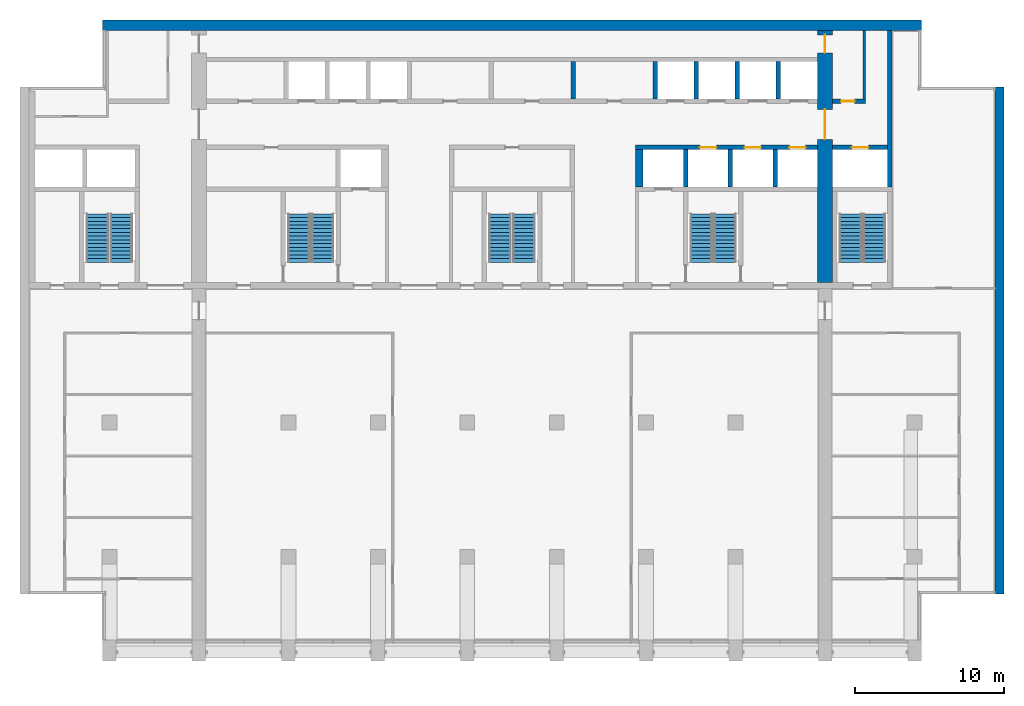
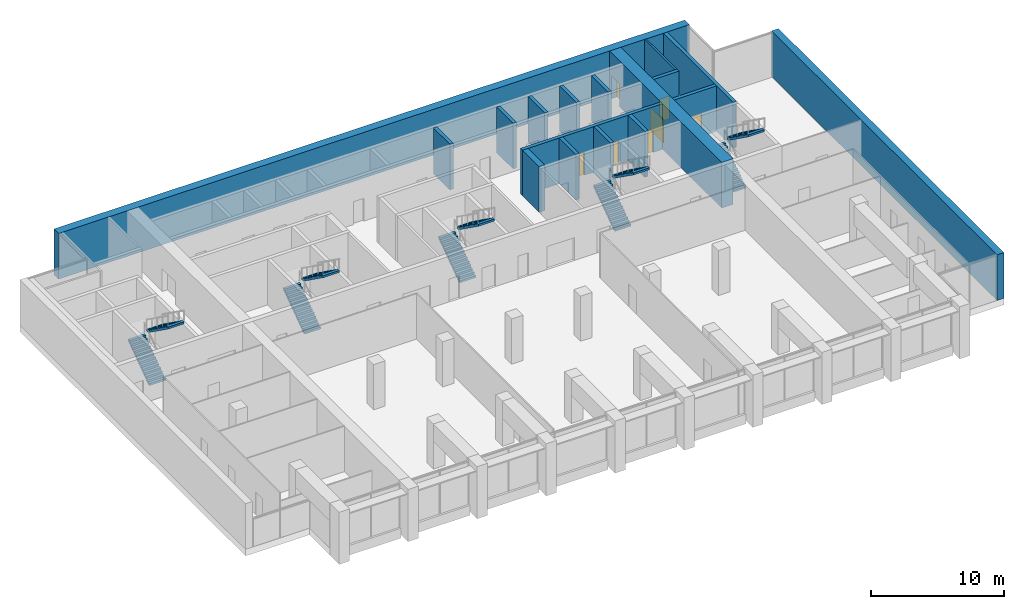
# One storey, part 9 of 13: 17 walls, 10 stair flights, 7 doors, 7 openings, 5 elements without a shape of their own.
"""IFC4 building model written with IfcOpenShell, lengths in metres."""

from ifc_helpers import new_model, si_unit, direction, frame, frame_2d, origin, place, context, subcontext, project, spatial, polyline, rectangle, outline, extrude, material, layer, layer_set, type_object, element, fill, aggregate, save


model = new_model("IFC4")

# Units and contexts
model_context = context("Model", 3, precision=1e-05, world=origin(), true_north=direction((0.0, 1.0)))
body_context = subcontext(model_context, "Body", "Model", "MODEL_VIEW")
ifc_project = project(units=[si_unit("LENGTHUNIT", "METRE"), si_unit("AREAUNIT", "SQUARE_METRE"), si_unit("VOLUMEUNIT", "CUBIC_METRE"), si_unit("PLANEANGLEUNIT", "RADIAN"), si_unit("MASSUNIT", "GRAM", prefix="KILO")], contexts=[model_context])

# Site, building, storey
site_placement = place(None, origin())
site = spatial("IfcSite", under=ifc_project, at=site_placement, CompositionType="ELEMENT")
building_placement = place(site_placement, origin())
building = spatial("IfcBuilding", under=site, at=building_placement, Name="Calvaro Tower", CompositionType="ELEMENT")
storey_placement = place(building_placement, frame((0.0, 0.0, 226.75)))
storey = spatial("IfcBuildingStorey", under=building, at=storey_placement, Name="L57", CompositionType="ELEMENT", Elevation=226.75)

# Wall
ifc_material_1 = material(Name="Blockwork partition", Category="masonry")
ifc_layer_1 = layer(ifc_material_1, 0.14990234375)
ifc_layer_set_1 = layer_set([ifc_layer_1], Name="Blockwork partition")
wall_type_1 = type_object("IfcWallType", Name="Core partition 150 REI 120", PredefinedType="PARTITIONING", material=ifc_layer_set_1)
wall_1_placement = place(storey_placement, frame((62.625, 40.699951171875, 0.0), z_axis=(0.0, 0.0, 1.0), x_axis=(0.0, 1.0, 0.0)))
element("IfcWall", 1, at=wall_1_placement, inside=storey, type_object=wall_type_1, Name="Core partition", PredefinedType="PARTITIONING", context=body_context, shape_type="SweptSolid", body=[
    extrude(rectangle(XDim=4.60009765625, YDim=0.14990234375, at=frame_2d((2.300048828125, 0.0))), origin(), (0.0, 0.0, 1.0), 4.199951171875),
])

# Wall, opening, door
ifc_material_2 = material(Name="Blockwork partition", Category="masonry")
ifc_layer_2 = layer(ifc_material_2, 0.300048828125)
ifc_layer_set_2 = layer_set([ifc_layer_2], Name="Blockwork partition")
wall_type_2 = type_object("IfcWallType", Name="Core partition 300 REI 120", PredefinedType="PARTITIONING", material=ifc_layer_set_2)
wall_2_placement = place(storey_placement, frame((60.5, 40.550048828125, 0.0), z_axis=(0.0, 0.0, 1.0), x_axis=(1.0, 0.0, 0.0)))
wall_2 = element("IfcWall", 2, at=wall_2_placement, inside=storey, type_object=wall_type_2, Name="Core partition", PredefinedType="PARTITIONING", context=body_context, shape_type="SweptSolid", body=[
    extrude(rectangle(XDim=2.199951171875, YDim=0.300048828125, at=frame_2d((1.10009765625, 0.0))), origin(), (0.0, 0.0, 1.0), 4.199951171875),
])
opening_1_placement = place(wall_2_placement, frame((0.574951171875, 0.0, 0.0)))
opening_1 = element("IfcOpeningElement", 3, at=opening_1_placement, cuts=wall_2, Name="Opening RD9E", PredefinedType="OPENING", context=body_context, shape_type="SweptSolid", body=[
    extrude(rectangle(XDim=0.89990234375, YDim=2.10009765625, at=frame_2d((0.449951171875, 1.050048828125))), frame((0.0, 0.159912109375, 0.0), z_axis=(0.0, -1.0, 0.0), x_axis=(1.0, 0.0, 0.0)), (0.0, 0.0, 1.0), 0.320068359375),
])
ifc_material_3 = material(Name="Steel door set", Category="steel")
door_type_1 = type_object("IfcDoorType", Name="Room door 900 FD60", OperationType="SINGLE_SWING_LEFT", PredefinedType="DOOR", material=ifc_material_3)
door_1_placement = place(opening_1_placement, origin())
door_1 = element("IfcDoor", 4, at=door_1_placement, inside=storey, type_object=door_type_1, Name="Room door", OperationType="SINGLE_SWING_LEFT", OverallHeight=2.10009765625, OverallWidth=0.89990234375, PredefinedType="DOOR", context=body_context, shape_type="SweptSolid", body=[
    extrude(rectangle(XDim=0.89990234375, YDim=2.10009765625, at=frame_2d((0.449951171875, 1.050048828125))), frame((0.0, 0.02490234375, 0.0), z_axis=(0.0, -1.0, 0.0), x_axis=(1.0, 0.0, 0.0)), (0.0, 0.0, 1.0), 0.050048828125),
])
fill(opening_1, door_1)

# Wall
wall_3_placement = place(storey_placement, frame((43.10009765625, 40.699951171875, 0.0), z_axis=(0.0, 0.0, 1.0), x_axis=(0.0, 1.0, 0.0)))
element("IfcWall", 5, at=wall_3_placement, inside=storey, type_object=wall_type_2, Name="Core partition", PredefinedType="PARTITIONING", context=body_context, shape_type="SweptSolid", body=[
    extrude(rectangle(XDim=2.5, YDim=0.300048828125, at=frame_2d((1.25, 0.0))), origin(), (0.0, 0.0, 1.0), 4.199951171875),
])

# Wall, openings, doors
ifc_material_4 = material(Name="Concrete C50/60", Category="concrete")
ifc_layer_3 = layer(ifc_material_4, 1.0)
ifc_layer_set_3 = layer_set([ifc_layer_3], Name="Concrete C50/60")
wall_type_3 = type_object("IfcWallType", Name="Core wall C50/60 1000", PredefinedType="SHEAR", material=ifc_layer_set_3)
wall_4_placement = place(storey_placement, frame((60.0, 28.39990234375, 0.0), z_axis=(0.0, 0.0, 1.0), x_axis=(0.0, 1.0, 0.0)))
wall_4 = element("IfcWall", 6, at=wall_4_placement, inside=storey, type_object=wall_type_3, Name="Core wall, cross shear wall", PredefinedType="SHEAR", context=body_context, shape_type="SweptSolid", body=[
    extrude(rectangle(XDim=16.900146484375, YDim=1.0, at=frame_2d((8.4501953125, 0.0))), origin(), (0.0, 0.0, 1.0), 4.199951171875),
])
opening_2_placement = place(wall_4_placement, frame((9.60009765625, 0.0, 0.0)))
opening_2 = element("IfcOpeningElement", 7, at=opening_2_placement, cuts=wall_4, Name="Opening DD20D", PredefinedType="OPENING", context=body_context, shape_type="SweptSolid", body=[
    extrude(rectangle(XDim=2.0, YDim=2.10009765625, at=frame_2d((1.0, 1.050048828125))), frame((0.0, 0.510009765625, 0.0), z_axis=(0.0, -1.0, 0.0), x_axis=(1.0, 0.0, 0.0)), (0.0, 0.0, 1.0), 1.02001953125),
])
opening_3_placement = place(wall_4_placement, frame((15.39990234375, 0.0, 0.0)))
opening_3 = element("IfcOpeningElement", 8, at=opening_3_placement, cuts=wall_4, Name="Opening FD12C", PredefinedType="OPENING", context=body_context, shape_type="SweptSolid", body=[
    extrude(rectangle(XDim=1.199951171875, YDim=2.10009765625, at=frame_2d((0.60009765625, 1.050048828125))), frame((0.0, 0.510009765625, 0.0), z_axis=(0.0, -1.0, 0.0), x_axis=(1.0, 0.0, 0.0)), (0.0, 0.0, 1.0), 1.02001953125),
])
ifc_material_5 = material(Name="Steel door set", Category="steel")
door_type_2 = type_object("IfcDoorType", Name="Fire door 1200 FD30", OperationType="SINGLE_SWING_LEFT", PredefinedType="DOOR", material=ifc_material_5)
door_2_placement = place(opening_3_placement, origin())
door_2 = element("IfcDoor", 9, at=door_2_placement, inside=storey, type_object=door_type_2, Name="Fire door", OperationType="SINGLE_SWING_LEFT", OverallHeight=2.10009765625, OverallWidth=1.199951171875, PredefinedType="DOOR", context=body_context, shape_type="SweptSolid", body=[
    extrude(rectangle(XDim=1.199951171875, YDim=2.10009765625, at=frame_2d((0.60009765625, 1.050048828125))), frame((0.0, 0.02490234375, 0.0), z_axis=(0.0, -1.0, 0.0), x_axis=(1.0, 0.0, 0.0)), (0.0, 0.0, 1.0), 0.050048828125),
])
fill(opening_3, door_2)
ifc_material_6 = material(Name="Steel door set", Category="steel")
door_type_3 = type_object("IfcDoorType", Name="Lobby double door 2000 FD30S", OperationType="DOUBLE_DOOR_SINGLE_SWING", PredefinedType="DOOR", material=ifc_material_6)
door_3_placement = place(opening_2_placement, origin())
door_3 = element("IfcDoor", 10, at=door_3_placement, inside=storey, type_object=door_type_3, Name="Lobby double door", OperationType="DOUBLE_DOOR_SINGLE_SWING", OverallHeight=2.10009765625, OverallWidth=2.0, PredefinedType="DOOR", context=body_context, shape_type="SweptSolid", body=[
    extrude(rectangle(XDim=2.0, YDim=2.10009765625, at=frame_2d((1.0, 1.050048828125))), frame((0.0, 0.02490234375, 0.0), z_axis=(0.0, -1.0, 0.0), x_axis=(1.0, 0.0, 0.0)), (0.0, 0.0, 1.0), 0.050048828125),
])
fill(opening_2, door_3)

# Wall
ifc_material_7 = material(Name="Concrete C50/60", Category="concrete")
ifc_layer_4 = layer(ifc_material_7, 0.300048828125)
ifc_layer_set_4 = layer_set([ifc_layer_4], Name="Concrete C50/60")
wall_type_4 = type_object("IfcWallType", Name="Core wall C50/60 300", PredefinedType="SHEAR", material=ifc_layer_set_4)
wall_5_placement = place(storey_placement, frame((64.35009765625, 34.800048828125, 0.0), z_axis=(0.0, 0.0, 1.0), x_axis=(0.0, 1.0, 0.0)))
element("IfcWall", 11, at=wall_5_placement, inside=storey, type_object=wall_type_4, Name="Core wall, boundary", PredefinedType="SHEAR", context=body_context, shape_type="SweptSolid", body=[
    extrude(rectangle(XDim=10.5, YDim=0.300048828125, at=frame_2d((5.25, 0.0))), origin(), (0.0, 0.0, 1.0), 4.199951171875),
])

# Wall, openings, doors
wall_6_placement = place(storey_placement, frame((47.300048828125, 37.449951171875, 0.0), z_axis=(0.0, 0.0, 1.0), x_axis=(1.0, 0.0, 0.0)))
wall_6 = element("IfcWall", 12, at=wall_6_placement, inside=storey, type_object=wall_type_4, Name="Core wall, lift shaft", PredefinedType="SHEAR", context=body_context, shape_type="SweptSolid", body=[
    extrude(rectangle(XDim=12.199951171875, YDim=0.300048828125, at=frame_2d((6.10009765625, 0.0))), origin(), (0.0, 0.0, 1.0), 4.199951171875),
])
opening_4_placement = place(wall_6_placement, frame((4.300048828125, 0.0, 0.0)))
opening_4 = element("IfcOpeningElement", 13, at=opening_4_placement, cuts=wall_6, Name="Opening HR1", PredefinedType="OPENING", context=body_context, shape_type="SweptSolid", body=[
    extrude(rectangle(XDim=1.10009765625, YDim=2.10009765625, at=frame_2d((0.550048828125, 1.050048828125))), frame((0.0, 0.159912109375, 0.0), z_axis=(0.0, -1.0, 0.0), x_axis=(1.0, 0.0, 0.0)), (0.0, 0.0, 1.0), 0.320068359375),
])
opening_5_placement = place(wall_6_placement, frame((7.300048828125, 0.0, 0.0)))
opening_5 = element("IfcOpeningElement", 14, at=opening_5_placement, cuts=wall_6, Name="Opening HR2", PredefinedType="OPENING", context=body_context, shape_type="SweptSolid", body=[
    extrude(rectangle(XDim=1.10009765625, YDim=2.10009765625, at=frame_2d((0.550048828125, 1.050048828125))), frame((0.0, 0.159912109375, 0.0), z_axis=(0.0, -1.0, 0.0), x_axis=(1.0, 0.0, 0.0)), (0.0, 0.0, 1.0), 0.320068359375),
])
opening_6_placement = place(wall_6_placement, frame((10.300048828125, 0.0, 0.0)))
opening_6 = element("IfcOpeningElement", 15, at=opening_6_placement, cuts=wall_6, Name="Opening HR3", PredefinedType="OPENING", context=body_context, shape_type="SweptSolid", body=[
    extrude(rectangle(XDim=1.10009765625, YDim=2.10009765625, at=frame_2d((0.550048828125, 1.050048828125))), frame((0.0, 0.159912109375, 0.0), z_axis=(0.0, -1.0, 0.0), x_axis=(1.0, 0.0, 0.0)), (0.0, 0.0, 1.0), 0.320068359375),
])
ifc_material_8 = material(Name="Stainless steel", Category="steel")
door_type_4 = type_object("IfcDoorType", Name="Landing door 1100 E 60", OperationType="SLIDING_TO_LEFT", PredefinedType="DOOR", material=ifc_material_8)
door_4_placement = place(opening_4_placement, origin())
door_4 = element("IfcDoor", 16, at=door_4_placement, inside=storey, type_object=door_type_4, Name="Landing door HR1", OperationType="SLIDING_TO_LEFT", OverallHeight=2.10009765625, OverallWidth=1.10009765625, PredefinedType="DOOR", context=body_context, shape_type="SweptSolid", body=[
    extrude(rectangle(XDim=1.10009765625, YDim=2.10009765625, at=frame_2d((0.550048828125, 1.050048828125))), frame((0.0, 0.02490234375, 0.0), z_axis=(0.0, -1.0, 0.0), x_axis=(1.0, 0.0, 0.0)), (0.0, 0.0, 1.0), 0.050048828125),
])
fill(opening_4, door_4)
door_5_placement = place(opening_5_placement, origin())
door_5 = element("IfcDoor", 17, at=door_5_placement, inside=storey, type_object=door_type_4, Name="Landing door HR2", OperationType="SLIDING_TO_LEFT", OverallHeight=2.10009765625, OverallWidth=1.10009765625, PredefinedType="DOOR", context=body_context, shape_type="SweptSolid", body=[
    extrude(rectangle(XDim=1.10009765625, YDim=2.10009765625, at=frame_2d((0.550048828125, 1.050048828125))), frame((0.0, 0.02490234375, 0.0), z_axis=(0.0, -1.0, 0.0), x_axis=(1.0, 0.0, 0.0)), (0.0, 0.0, 1.0), 0.050048828125),
])
fill(opening_5, door_5)
door_6_placement = place(opening_6_placement, origin())
door_6 = element("IfcDoor", 18, at=door_6_placement, inside=storey, type_object=door_type_4, Name="Landing door HR3", OperationType="SLIDING_TO_LEFT", OverallHeight=2.10009765625, OverallWidth=1.10009765625, PredefinedType="DOOR", context=body_context, shape_type="SweptSolid", body=[
    extrude(rectangle(XDim=1.10009765625, YDim=2.10009765625, at=frame_2d((0.550048828125, 1.050048828125))), frame((0.0, 0.02490234375, 0.0), z_axis=(0.0, -1.0, 0.0), x_axis=(1.0, 0.0, 0.0)), (0.0, 0.0, 1.0), 0.050048828125),
])
fill(opening_6, door_6)

# Wall, opening, door
wall_7_placement = place(storey_placement, frame((60.5, 37.449951171875, 0.0), z_axis=(0.0, 0.0, 1.0), x_axis=(1.0, 0.0, 0.0)))
wall_7 = element("IfcWall", 19, at=wall_7_placement, inside=storey, type_object=wall_type_4, Name="Core wall, lift shaft", PredefinedType="SHEAR", context=body_context, shape_type="SweptSolid", body=[
    extrude(rectangle(XDim=3.699951171875, YDim=0.300048828125, at=frame_2d((1.85009765625, 0.0))), origin(), (0.0, 0.0, 1.0), 4.199951171875),
])
opening_7_placement = place(wall_7_placement, frame((1.300048828125, 0.0, 0.0)))
opening_7 = element("IfcOpeningElement", 20, at=opening_7_placement, cuts=wall_7, Name="Opening FF3", PredefinedType="OPENING", context=body_context, shape_type="SweptSolid", body=[
    extrude(rectangle(XDim=1.10009765625, YDim=2.10009765625, at=frame_2d((0.550048828125, 1.050048828125))), frame((0.0, 0.159912109375, 0.0), z_axis=(0.0, -1.0, 0.0), x_axis=(1.0, 0.0, 0.0)), (0.0, 0.0, 1.0), 0.320068359375),
])
door_7_placement = place(opening_7_placement, origin())
door_7 = element("IfcDoor", 21, at=door_7_placement, inside=storey, type_object=door_type_4, Name="Landing door FF3", OperationType="SLIDING_TO_LEFT", OverallHeight=2.10009765625, OverallWidth=1.10009765625, PredefinedType="DOOR", context=body_context, shape_type="SweptSolid", body=[
    extrude(rectangle(XDim=1.10009765625, YDim=2.10009765625, at=frame_2d((0.550048828125, 1.050048828125))), frame((0.0, 0.02490234375, 0.0), z_axis=(0.0, -1.0, 0.0), x_axis=(1.0, 0.0, 0.0)), (0.0, 0.0, 1.0), 0.050048828125),
])
fill(opening_7, door_7)

# Walls
for number, where, z_axis, x_axis, name in (
    (22, (50.64990234375, 34.800048828125, 0.0), (0.0, 0.0, 1.0), (0.0, 1.0, 0.0), "Core wall, lift shaft"),
    (23, (53.64990234375, 34.800048828125, 0.0), (0.0, 0.0, 1.0), (0.0, 1.0, 0.0), "Core wall, lift shaft"),
    (24, (56.64990234375, 34.800048828125, 0.0), (0.0, 0.0, 1.0), (0.0, 1.0, 0.0), "Core wall, lift shaft"),
    (25, (48.60009765625, 40.699951171875, 0.0), (0.0, 0.0, 1.0), (0.0, 1.0, 0.0), "Core wall, lift shaft"),
    (26, (51.35009765625, 40.699951171875, 0.0), (0.0, 0.0, 1.0), (0.0, 1.0, 0.0), "Core wall, lift shaft"),
    (27, (54.10009765625, 40.699951171875, 0.0), (0.0, 0.0, 1.0), (0.0, 1.0, 0.0), "Core wall, lift shaft"),
    (28, (56.85009765625, 40.699951171875, 0.0), (0.0, 0.0, 1.0), (0.0, 1.0, 0.0), "Core wall, lift shaft"),
):
    element("IfcWall", number, at=place(storey_placement, frame(where, z_axis=z_axis, x_axis=x_axis)), inside=storey, type_object=wall_type_4, Name=name, PredefinedType="SHEAR", context=body_context, shape_type="SweptSolid", body=[
        extrude(rectangle(XDim=2.5, YDim=0.300048828125, at=frame_2d((1.25, 0.0))), origin(), (0.0, 0.0, 1.0), 4.199951171875),
    ])
ifc_material_9 = material(Name="Concrete C50/60", Category="concrete")
ifc_layer_5 = layer(ifc_material_9, 0.5)
ifc_layer_set_5 = layer_set([ifc_layer_5], Name="Concrete C50/60")
wall_type_5 = type_object("IfcWallType", Name="Core wall C50/60 500", PredefinedType="SHEAR", material=ifc_layer_set_5)
wall_8_placement = place(storey_placement, frame((47.550048828125, 34.800048828125, 0.0), z_axis=(0.0, 0.0, 1.0), x_axis=(0.0, 1.0, 0.0)))
element("IfcWall", 29, at=wall_8_placement, inside=storey, type_object=wall_type_5, Name="Core wall, lift shaft", PredefinedType="SHEAR", context=body_context, shape_type="SweptSolid", body=[
    extrude(rectangle(XDim=2.5, YDim=0.5, at=frame_2d((1.25, 0.0))), origin(), (0.0, 0.0, 1.0), 4.199951171875),
])
ifc_material_10 = material(Name="Concrete C50/60", Category="concrete")
ifc_layer_6 = layer(ifc_material_10, 0.60009765625)
ifc_layer_set_6 = layer_set([ifc_layer_6], Name="Concrete C50/60")
wall_type_6 = type_object("IfcWallType", Name="End wall 600 C50/60", PredefinedType="SHEAR", material=ifc_layer_set_6)
wall_9_placement = place(storey_placement, frame((71.699951171875, 7.5, 0.0), z_axis=(0.0, 0.0, 1.0), x_axis=(0.0, 1.0, 0.0)))
element("IfcWall", 30, at=wall_9_placement, inside=storey, type_object=wall_type_6, Name="End shear wall", PredefinedType="SHEAR", context=body_context, shape_type="SweptSolid", body=[
    extrude(rectangle(XDim=34.0, YDim=0.60009765625, at=frame_2d((17.0, 0.0))), origin(), (0.0, 0.0, 1.0), 4.199951171875),
])
ifc_material_11 = material(Name="Concrete C50/60", Category="concrete")
ifc_layer_7 = layer(ifc_material_11, 0.699951171875)
ifc_layer_set_7 = layer_set([ifc_layer_7], Name="Concrete C50/60")
wall_type_7 = type_object("IfcWallType", Name="Rear core wall 700 C50/60", PredefinedType="SHEAR", material=ifc_layer_set_7)
wall_10_placement = place(storey_placement, frame((11.550048828125, 45.64990234375, 0.0), z_axis=(0.0, 0.0, 1.0), x_axis=(1.0, 0.0, 0.0)))
element("IfcWall", 31, at=wall_10_placement, inside=storey, type_object=wall_type_7, Name="North core wall", PredefinedType="SHEAR", context=body_context, shape_type="SweptSolid", body=[
    extrude(rectangle(XDim=54.89990234375, YDim=0.699951171875, at=frame_2d((27.449951171875, 0.0))), origin(), (0.0, 0.0, 1.0), 4.199951171875),
])

# Stair, stair flights
ifc_material_12 = material(Name="Concrete C40/50", Category="concrete")
stair_type = type_object("IfcStairType", Name="Exit stair 1400 2 flights", PredefinedType="HALF_TURN_STAIR", material=ifc_material_12)
stair_1_placement = place(storey_placement, origin())
stair_1 = element("IfcStair", 32, at=stair_1_placement, inside=storey, type_object=stair_type, Name="Exit stair S1", PredefinedType="HALF_TURN_STAIR")
ifc_material_13 = material(Name="Concrete C40/50", Category="concrete")
stair_flight_type = type_object("IfcStairFlightType", Name="Stair flight", PredefinedType="STRAIGHT", material=ifc_material_13)
stair_flight_1_placement = place(storey_placement, frame((11.199951171875, 29.75, 0.0), z_axis=(0.0, 0.0, 1.0), x_axis=(0.0, 1.0, 0.0)))
stair_flight_1 = element("IfcStairFlight", 33, at=stair_flight_1_placement, type_object=stair_flight_type, Name="Exit stair 1, flight 1", NumberOfRisers=14, NumberOfTreads=13, PredefinedType="STRAIGHT", RiserHeight=0.178571429, TreadLength=0.25, context=body_context, shape_type="SweptSolid", body=[
    extrude(outline(polyline([(0.0, 0.0), (0.0, 0.178466796875), (0.25, 0.178466796875), (0.25, 0.357177734375), (0.5, 0.357177734375), (0.5, 0.53564453125), (0.75, 0.53564453125), (0.75, 0.71435546875), (1.0, 0.71435546875), (1.0, 0.892822265625), (1.25, 0.892822265625), (1.25, 1.071533203125), (1.5, 1.071533203125), (1.5, 1.25), (1.75, 1.25), (1.75, 1.428466796875), (2.0, 1.428466796875), (2.0, 1.607177734375), (2.25, 1.607177734375), (2.25, 1.78564453125), (2.5, 1.78564453125), (2.5, 1.96435546875), (2.75, 1.96435546875), (2.75, 2.142822265625), (3.0, 2.142822265625), (3.0, 2.321533203125), (3.25, 2.321533203125), (3.25, 2.5), (3.25, 2.13720703125), (0.2578125, 0.0), (0.0, 0.0)])), frame((0.0, 0.699951171875, 0.0), z_axis=(0.0, -1.0, 0.0), x_axis=(1.0, 0.0, 0.0)), (0.0, 0.0, 1.0), 1.39990234375),
])
stair_flight_2_placement = place(storey_placement, frame((12.800048828125, 33.0, 2.5), z_axis=(0.0, 0.0, 1.0), x_axis=(0.0, -1.0, 0.0)))
stair_flight_2 = element("IfcStairFlight", 34, at=stair_flight_2_placement, type_object=stair_flight_type, Name="Exit stair 1, flight 2", NumberOfRisers=14, NumberOfTreads=13, PredefinedType="STRAIGHT", RiserHeight=0.178571429, TreadLength=0.25, context=body_context, shape_type="SweptSolid", body=[
    extrude(outline(polyline([(0.0, 0.0), (0.0, 0.178466796875), (0.25, 0.178466796875), (0.25, 0.357177734375), (0.5, 0.357177734375), (0.5, 0.53564453125), (0.75, 0.53564453125), (0.75, 0.71435546875), (1.0, 0.71435546875), (1.0, 0.892822265625), (1.25, 0.892822265625), (1.25, 1.071533203125), (1.5, 1.071533203125), (1.5, 1.25), (1.75, 1.25), (1.75, 1.428466796875), (2.0, 1.428466796875), (2.0, 1.607177734375), (2.25, 1.607177734375), (2.25, 1.78564453125), (2.5, 1.78564453125), (2.5, 1.96435546875), (2.75, 1.96435546875), (2.75, 2.142822265625), (3.0, 2.142822265625), (3.0, 2.321533203125), (3.25, 2.321533203125), (3.25, 2.5), (3.25, 2.13720703125), (0.2578125, 0.0), (0.0, 0.0)])), frame((0.0, 0.699951171875, 0.0), z_axis=(0.0, -1.0, 0.0), x_axis=(1.0, 0.0, 0.0)), (0.0, 0.0, 1.0), 1.39990234375),
])
aggregate(stair_1, [stair_flight_1, stair_flight_2])

stair_2_placement = place(storey_placement, origin())
stair_2 = element("IfcStair", 35, at=stair_2_placement, inside=storey, type_object=stair_type, Name="Exit stair S2", PredefinedType="HALF_TURN_STAIR")
stair_flight_3_placement = place(storey_placement, frame((24.699951171875, 29.75, 0.0), z_axis=(0.0, 0.0, 1.0), x_axis=(0.0, 1.0, 0.0)))
stair_flight_3 = element("IfcStairFlight", 36, at=stair_flight_3_placement, type_object=stair_flight_type, Name="Exit stair 2, flight 1", NumberOfRisers=14, NumberOfTreads=13, PredefinedType="STRAIGHT", RiserHeight=0.178571429, TreadLength=0.25, context=body_context, shape_type="SweptSolid", body=[
    extrude(outline(polyline([(0.0, 0.0), (0.0, 0.178466796875), (0.25, 0.178466796875), (0.25, 0.357177734375), (0.5, 0.357177734375), (0.5, 0.53564453125), (0.75, 0.53564453125), (0.75, 0.71435546875), (1.0, 0.71435546875), (1.0, 0.892822265625), (1.25, 0.892822265625), (1.25, 1.071533203125), (1.5, 1.071533203125), (1.5, 1.25), (1.75, 1.25), (1.75, 1.428466796875), (2.0, 1.428466796875), (2.0, 1.607177734375), (2.25, 1.607177734375), (2.25, 1.78564453125), (2.5, 1.78564453125), (2.5, 1.96435546875), (2.75, 1.96435546875), (2.75, 2.142822265625), (3.0, 2.142822265625), (3.0, 2.321533203125), (3.25, 2.321533203125), (3.25, 2.5), (3.25, 2.13720703125), (0.2578125, 0.0), (0.0, 0.0)])), frame((0.0, 0.699951171875, 0.0), z_axis=(0.0, -1.0, 0.0), x_axis=(1.0, 0.0, 0.0)), (0.0, 0.0, 1.0), 1.39990234375),
])
stair_flight_4_placement = place(storey_placement, frame((26.300048828125, 33.0, 2.5), z_axis=(0.0, 0.0, 1.0), x_axis=(0.0, -1.0, 0.0)))
stair_flight_4 = element("IfcStairFlight", 37, at=stair_flight_4_placement, type_object=stair_flight_type, Name="Exit stair 2, flight 2", NumberOfRisers=14, NumberOfTreads=13, PredefinedType="STRAIGHT", RiserHeight=0.178571429, TreadLength=0.25, context=body_context, shape_type="SweptSolid", body=[
    extrude(outline(polyline([(0.0, 0.0), (0.0, 0.178466796875), (0.25, 0.178466796875), (0.25, 0.357177734375), (0.5, 0.357177734375), (0.5, 0.53564453125), (0.75, 0.53564453125), (0.75, 0.71435546875), (1.0, 0.71435546875), (1.0, 0.892822265625), (1.25, 0.892822265625), (1.25, 1.071533203125), (1.5, 1.071533203125), (1.5, 1.25), (1.75, 1.25), (1.75, 1.428466796875), (2.0, 1.428466796875), (2.0, 1.607177734375), (2.25, 1.607177734375), (2.25, 1.78564453125), (2.5, 1.78564453125), (2.5, 1.96435546875), (2.75, 1.96435546875), (2.75, 2.142822265625), (3.0, 2.142822265625), (3.0, 2.321533203125), (3.25, 2.321533203125), (3.25, 2.5), (3.25, 2.13720703125), (0.2578125, 0.0), (0.0, 0.0)])), frame((0.0, 0.699951171875, 0.0), z_axis=(0.0, -1.0, 0.0), x_axis=(1.0, 0.0, 0.0)), (0.0, 0.0, 1.0), 1.39990234375),
])
aggregate(stair_2, [stair_flight_3, stair_flight_4])

stair_3_placement = place(storey_placement, origin())
stair_3 = element("IfcStair", 38, at=stair_3_placement, inside=storey, type_object=stair_type, Name="Exit stair S3", PredefinedType="HALF_TURN_STAIR")
stair_flight_5_placement = place(storey_placement, frame((38.199951171875, 29.75, 0.0), z_axis=(0.0, 0.0, 1.0), x_axis=(0.0, 1.0, 0.0)))
stair_flight_5 = element("IfcStairFlight", 39, at=stair_flight_5_placement, type_object=stair_flight_type, Name="Exit stair 3, flight 1", NumberOfRisers=14, NumberOfTreads=13, PredefinedType="STRAIGHT", RiserHeight=0.178571429, TreadLength=0.25, context=body_context, shape_type="SweptSolid", body=[
    extrude(outline(polyline([(0.0, 0.0), (0.0, 0.178466796875), (0.25, 0.178466796875), (0.25, 0.357177734375), (0.5, 0.357177734375), (0.5, 0.53564453125), (0.75, 0.53564453125), (0.75, 0.71435546875), (1.0, 0.71435546875), (1.0, 0.892822265625), (1.25, 0.892822265625), (1.25, 1.071533203125), (1.5, 1.071533203125), (1.5, 1.25), (1.75, 1.25), (1.75, 1.428466796875), (2.0, 1.428466796875), (2.0, 1.607177734375), (2.25, 1.607177734375), (2.25, 1.78564453125), (2.5, 1.78564453125), (2.5, 1.96435546875), (2.75, 1.96435546875), (2.75, 2.142822265625), (3.0, 2.142822265625), (3.0, 2.321533203125), (3.25, 2.321533203125), (3.25, 2.5), (3.25, 2.13720703125), (0.2578125, 0.0), (0.0, 0.0)])), frame((0.0, 0.699951171875, 0.0), z_axis=(0.0, -1.0, 0.0), x_axis=(1.0, 0.0, 0.0)), (0.0, 0.0, 1.0), 1.39990234375),
])
stair_flight_6_placement = place(storey_placement, frame((39.800048828125, 33.0, 2.5), z_axis=(0.0, 0.0, 1.0), x_axis=(0.0, -1.0, 0.0)))
stair_flight_6 = element("IfcStairFlight", 40, at=stair_flight_6_placement, type_object=stair_flight_type, Name="Exit stair 3, flight 2", NumberOfRisers=14, NumberOfTreads=13, PredefinedType="STRAIGHT", RiserHeight=0.178571429, TreadLength=0.25, context=body_context, shape_type="SweptSolid", body=[
    extrude(outline(polyline([(0.0, 0.0), (0.0, 0.178466796875), (0.25, 0.178466796875), (0.25, 0.357177734375), (0.5, 0.357177734375), (0.5, 0.53564453125), (0.75, 0.53564453125), (0.75, 0.71435546875), (1.0, 0.71435546875), (1.0, 0.892822265625), (1.25, 0.892822265625), (1.25, 1.071533203125), (1.5, 1.071533203125), (1.5, 1.25), (1.75, 1.25), (1.75, 1.428466796875), (2.0, 1.428466796875), (2.0, 1.607177734375), (2.25, 1.607177734375), (2.25, 1.78564453125), (2.5, 1.78564453125), (2.5, 1.96435546875), (2.75, 1.96435546875), (2.75, 2.142822265625), (3.0, 2.142822265625), (3.0, 2.321533203125), (3.25, 2.321533203125), (3.25, 2.5), (3.25, 2.13720703125), (0.2578125, 0.0), (0.0, 0.0)])), frame((0.0, 0.699951171875, 0.0), z_axis=(0.0, -1.0, 0.0), x_axis=(1.0, 0.0, 0.0)), (0.0, 0.0, 1.0), 1.39990234375),
])
aggregate(stair_3, [stair_flight_5, stair_flight_6])

stair_4_placement = place(storey_placement, origin())
stair_4 = element("IfcStair", 41, at=stair_4_placement, inside=storey, type_object=stair_type, Name="Exit stair S4", PredefinedType="HALF_TURN_STAIR")
stair_flight_7_placement = place(storey_placement, frame((51.699951171875, 29.75, 0.0), z_axis=(0.0, 0.0, 1.0), x_axis=(0.0, 1.0, 0.0)))
stair_flight_7 = element("IfcStairFlight", 42, at=stair_flight_7_placement, type_object=stair_flight_type, Name="Exit stair 4, flight 1", NumberOfRisers=14, NumberOfTreads=13, PredefinedType="STRAIGHT", RiserHeight=0.178571429, TreadLength=0.25, context=body_context, shape_type="SweptSolid", body=[
    extrude(outline(polyline([(0.0, 0.0), (0.0, 0.178466796875), (0.25, 0.178466796875), (0.25, 0.357177734375), (0.5, 0.357177734375), (0.5, 0.53564453125), (0.75, 0.53564453125), (0.75, 0.71435546875), (1.0, 0.71435546875), (1.0, 0.892822265625), (1.25, 0.892822265625), (1.25, 1.071533203125), (1.5, 1.071533203125), (1.5, 1.25), (1.75, 1.25), (1.75, 1.428466796875), (2.0, 1.428466796875), (2.0, 1.607177734375), (2.25, 1.607177734375), (2.25, 1.78564453125), (2.5, 1.78564453125), (2.5, 1.96435546875), (2.75, 1.96435546875), (2.75, 2.142822265625), (3.0, 2.142822265625), (3.0, 2.321533203125), (3.25, 2.321533203125), (3.25, 2.5), (3.25, 2.13720703125), (0.2578125, 0.0), (0.0, 0.0)])), frame((0.0, 0.699951171875, 0.0), z_axis=(0.0, -1.0, 0.0), x_axis=(1.0, 0.0, 0.0)), (0.0, 0.0, 1.0), 1.39990234375),
])
stair_flight_8_placement = place(storey_placement, frame((53.300048828125, 33.0, 2.5), z_axis=(0.0, 0.0, 1.0), x_axis=(0.0, -1.0, 0.0)))
stair_flight_8 = element("IfcStairFlight", 43, at=stair_flight_8_placement, type_object=stair_flight_type, Name="Exit stair 4, flight 2", NumberOfRisers=14, NumberOfTreads=13, PredefinedType="STRAIGHT", RiserHeight=0.178571429, TreadLength=0.25, context=body_context, shape_type="SweptSolid", body=[
    extrude(outline(polyline([(0.0, 0.0), (0.0, 0.178466796875), (0.25, 0.178466796875), (0.25, 0.357177734375), (0.5, 0.357177734375), (0.5, 0.53564453125), (0.75, 0.53564453125), (0.75, 0.71435546875), (1.0, 0.71435546875), (1.0, 0.892822265625), (1.25, 0.892822265625), (1.25, 1.071533203125), (1.5, 1.071533203125), (1.5, 1.25), (1.75, 1.25), (1.75, 1.428466796875), (2.0, 1.428466796875), (2.0, 1.607177734375), (2.25, 1.607177734375), (2.25, 1.78564453125), (2.5, 1.78564453125), (2.5, 1.96435546875), (2.75, 1.96435546875), (2.75, 2.142822265625), (3.0, 2.142822265625), (3.0, 2.321533203125), (3.25, 2.321533203125), (3.25, 2.5), (3.25, 2.13720703125), (0.2578125, 0.0), (0.0, 0.0)])), frame((0.0, 0.699951171875, 0.0), z_axis=(0.0, -1.0, 0.0), x_axis=(1.0, 0.0, 0.0)), (0.0, 0.0, 1.0), 1.39990234375),
])
aggregate(stair_4, [stair_flight_7, stair_flight_8])

stair_5_placement = place(storey_placement, origin())
stair_5 = element("IfcStair", 44, at=stair_5_placement, inside=storey, type_object=stair_type, Name="Exit stair S5", PredefinedType="HALF_TURN_STAIR")
stair_flight_9_placement = place(storey_placement, frame((61.699951171875, 29.75, 0.0), z_axis=(0.0, 0.0, 1.0), x_axis=(0.0, 1.0, 0.0)))
stair_flight_9 = element("IfcStairFlight", 45, at=stair_flight_9_placement, type_object=stair_flight_type, Name="Exit stair 5, flight 1", NumberOfRisers=14, NumberOfTreads=13, PredefinedType="STRAIGHT", RiserHeight=0.178571429, TreadLength=0.25, context=body_context, shape_type="SweptSolid", body=[
    extrude(outline(polyline([(0.0, 0.0), (0.0, 0.178466796875), (0.25, 0.178466796875), (0.25, 0.357177734375), (0.5, 0.357177734375), (0.5, 0.53564453125), (0.75, 0.53564453125), (0.75, 0.71435546875), (1.0, 0.71435546875), (1.0, 0.892822265625), (1.25, 0.892822265625), (1.25, 1.071533203125), (1.5, 1.071533203125), (1.5, 1.25), (1.75, 1.25), (1.75, 1.428466796875), (2.0, 1.428466796875), (2.0, 1.607177734375), (2.25, 1.607177734375), (2.25, 1.78564453125), (2.5, 1.78564453125), (2.5, 1.96435546875), (2.75, 1.96435546875), (2.75, 2.142822265625), (3.0, 2.142822265625), (3.0, 2.321533203125), (3.25, 2.321533203125), (3.25, 2.5), (3.25, 2.13720703125), (0.2578125, 0.0), (0.0, 0.0)])), frame((0.0, 0.699951171875, 0.0), z_axis=(0.0, -1.0, 0.0), x_axis=(1.0, 0.0, 0.0)), (0.0, 0.0, 1.0), 1.39990234375),
])
stair_flight_10_placement = place(storey_placement, frame((63.300048828125, 33.0, 2.5), z_axis=(0.0, 0.0, 1.0), x_axis=(0.0, -1.0, 0.0)))
stair_flight_10 = element("IfcStairFlight", 46, at=stair_flight_10_placement, type_object=stair_flight_type, Name="Exit stair 5, flight 2", NumberOfRisers=14, NumberOfTreads=13, PredefinedType="STRAIGHT", RiserHeight=0.178571429, TreadLength=0.25, context=body_context, shape_type="SweptSolid", body=[
    extrude(outline(polyline([(0.0, 0.0), (0.0, 0.178466796875), (0.25, 0.178466796875), (0.25, 0.357177734375), (0.5, 0.357177734375), (0.5, 0.53564453125), (0.75, 0.53564453125), (0.75, 0.71435546875), (1.0, 0.71435546875), (1.0, 0.892822265625), (1.25, 0.892822265625), (1.25, 1.071533203125), (1.5, 1.071533203125), (1.5, 1.25), (1.75, 1.25), (1.75, 1.428466796875), (2.0, 1.428466796875), (2.0, 1.607177734375), (2.25, 1.607177734375), (2.25, 1.78564453125), (2.5, 1.78564453125), (2.5, 1.96435546875), (2.75, 1.96435546875), (2.75, 2.142822265625), (3.0, 2.142822265625), (3.0, 2.321533203125), (3.25, 2.321533203125), (3.25, 2.5), (3.25, 2.13720703125), (0.2578125, 0.0), (0.0, 0.0)])), frame((0.0, 0.699951171875, 0.0), z_axis=(0.0, -1.0, 0.0), x_axis=(1.0, 0.0, 0.0)), (0.0, 0.0, 1.0), 1.39990234375),
])
aggregate(stair_5, [stair_flight_9, stair_flight_10])

save(model, "model.ifc")
